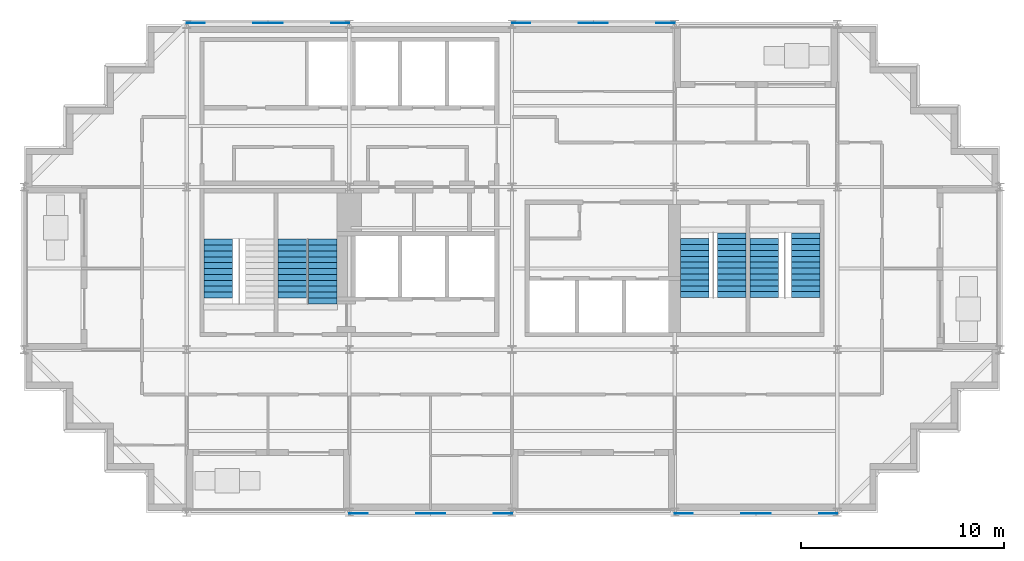
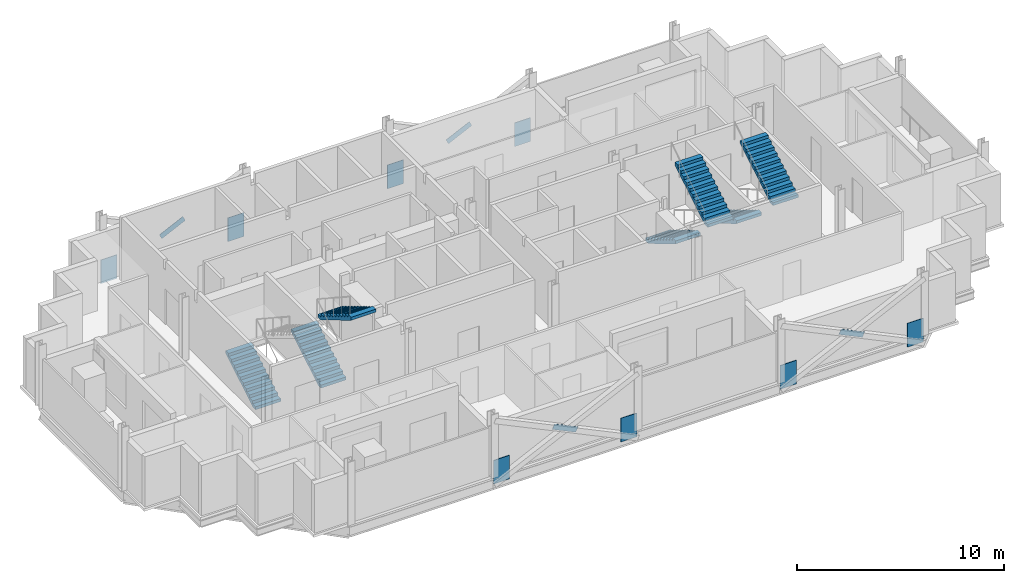
# One storey, part 8 of 10: 12 discrete accessories, 7 stair flights, 4 elements without a shape of their own.
"""IFC4 building model written with IfcOpenShell, lengths in metres."""

from ifc_helpers import new_model, si_unit, direction, frame, origin, origin_2d, place, context, subcontext, project, spatial, polyline, rectangle, outline, extrude, material, material_profile, profile_set, type_object, element, aggregate, save


model = new_model("IFC4")

# Units and contexts
model_context = context("Model", 3, precision=1e-05, world=origin(), true_north=direction((0.0, 1.0)))
body_context = subcontext(model_context, "Body", "Model", "MODEL_VIEW")
ifc_project = project(units=[si_unit("LENGTHUNIT", "METRE"), si_unit("AREAUNIT", "SQUARE_METRE"), si_unit("VOLUMEUNIT", "CUBIC_METRE"), si_unit("PLANEANGLEUNIT", "RADIAN"), si_unit("MASSUNIT", "GRAM", prefix="KILO")], contexts=[model_context])

# Site, building, storey
site_placement = place(None, origin())
site = spatial("IfcSite", under=ifc_project, at=site_placement, CompositionType="ELEMENT")
building_placement = place(site_placement, origin())
building = spatial("IfcBuilding", under=site, at=building_placement, Name="Immortelle Media Tower", CompositionType="ELEMENT")
storey_placement = place(building_placement, frame((0.0, 0.0, 237.0)))
storey = spatial("IfcBuildingStorey", under=building, at=storey_placement, Name="L51", CompositionType="ELEMENT", Elevation=237.0)

# Stair, stair flight
ifc_material_1 = material(Name="Steel ASTM A992 Gr 50", Category="steel")
stair_type = type_object("IfcStairType", Name="Stair with flights", PredefinedType="DOUBLE_RETURN_STAIR", material=ifc_material_1)
stair_1_placement = place(storey_placement, origin())
stair_1 = element("IfcStair", 1, at=stair_1_placement, inside=storey, type_object=stair_type, Name="Exit stair SW1", PredefinedType="DOUBLE_RETURN_STAIR")
stair_flight_type = type_object("IfcStairFlightType", Name="Stair flight 1400", PredefinedType="STRAIGHT", material=ifc_material_1)
stair_flight_1_placement = place(storey_placement, frame((9.550048828125, 10.5400390625, 0.0), z_axis=(0.0, 0.0, 1.0), x_axis=(0.0, 1.0, 0.0)))
stair_flight_1 = element("IfcStairFlight", 2, at=stair_flight_1_placement, type_object=stair_flight_type, Name="ST SW1 flight 1", NumberOfRisers=11, NumberOfTreads=10, PredefinedType="STRAIGHT", RiserHeight=0.173913043, TreadLength=0.29, context=body_context, shape_type="SweptSolid", body=[
    extrude(outline(polyline([(0.0, 0.0), (0.0, 0.173828125), (0.2900390625, 0.173828125), (0.2900390625, 0.347900390625), (0.580078125, 0.347900390625), (0.580078125, 0.521728515625), (0.8701171875, 0.521728515625), (0.8701171875, 0.695556640625), (1.159912109375, 0.695556640625), (1.159912109375, 0.86962890625), (1.449951171875, 0.86962890625), (1.449951171875, 1.04345703125), (1.739990234375, 1.04345703125), (1.739990234375, 1.21728515625), (2.030029296875, 1.21728515625), (2.030029296875, 1.391357421875), (2.320068359375, 1.391357421875), (2.320068359375, 1.565185546875), (2.610107421875, 1.565185546875), (2.610107421875, 1.739013671875), (2.89990234375, 1.739013671875), (2.89990234375, 1.9130859375), (2.89990234375, 1.564453125), (0.29150390625, 0.0), (0.0, 0.0)])), frame((0.0, 0.699951171875, 0.0), z_axis=(0.0, -1.0, 0.0), x_axis=(1.0, 0.0, 0.0)), (0.0, 0.0, 1.0), 1.39990234375),
])
aggregate(stair_1, [stair_flight_1])

# Stair, stair flights
stair_2_placement = place(storey_placement, origin())
stair_2 = element("IfcStair", 3, at=stair_2_placement, inside=storey, type_object=stair_type, Name="Exit stair SW2", PredefinedType="DOUBLE_RETURN_STAIR")
stair_flight_2_placement = place(storey_placement, frame((13.199951171875, 10.5400390625, 0.0), z_axis=(0.0, 0.0, 1.0), x_axis=(0.0, 1.0, 0.0)))
stair_flight_2 = element("IfcStairFlight", 4, at=stair_flight_2_placement, type_object=stair_flight_type, Name="ST SW2 flight 1", NumberOfRisers=11, NumberOfTreads=10, PredefinedType="STRAIGHT", RiserHeight=0.173913043, TreadLength=0.29, context=body_context, shape_type="SweptSolid", body=[
    extrude(outline(polyline([(0.0, 0.0), (0.0, 0.173828125), (0.2900390625, 0.173828125), (0.2900390625, 0.347900390625), (0.580078125, 0.347900390625), (0.580078125, 0.521728515625), (0.8701171875, 0.521728515625), (0.8701171875, 0.695556640625), (1.159912109375, 0.695556640625), (1.159912109375, 0.86962890625), (1.449951171875, 0.86962890625), (1.449951171875, 1.04345703125), (1.739990234375, 1.04345703125), (1.739990234375, 1.21728515625), (2.030029296875, 1.21728515625), (2.030029296875, 1.391357421875), (2.320068359375, 1.391357421875), (2.320068359375, 1.565185546875), (2.610107421875, 1.565185546875), (2.610107421875, 1.739013671875), (2.89990234375, 1.739013671875), (2.89990234375, 1.9130859375), (2.89990234375, 1.564453125), (0.29150390625, 0.0), (0.0, 0.0)])), frame((0.0, 0.699951171875, 0.0), z_axis=(0.0, -1.0, 0.0), x_axis=(1.0, 0.0, 0.0)), (0.0, 0.0, 1.0), 1.39990234375),
])
stair_flight_3_placement = place(storey_placement, frame((14.699951171875, 13.43994140625, 1.9130859375), z_axis=(0.0, 0.0, 1.0), x_axis=(0.0, -1.0, 0.0)))
stair_flight_3 = element("IfcStairFlight", 5, at=stair_flight_3_placement, type_object=stair_flight_type, Name="ST SW2 flight 2", NumberOfRisers=12, NumberOfTreads=11, PredefinedType="STRAIGHT", RiserHeight=0.173913043, TreadLength=0.29, context=body_context, shape_type="SweptSolid", body=[
    extrude(outline(polyline([(0.0, 0.0), (0.0, 0.173828125), (0.2900390625, 0.173828125), (0.2900390625, 0.347900390625), (0.580078125, 0.347900390625), (0.580078125, 0.521728515625), (0.8701171875, 0.521728515625), (0.8701171875, 0.695556640625), (1.159912109375, 0.695556640625), (1.159912109375, 0.86962890625), (1.449951171875, 0.86962890625), (1.449951171875, 1.04345703125), (1.739990234375, 1.04345703125), (1.739990234375, 1.21728515625), (2.030029296875, 1.21728515625), (2.030029296875, 1.391357421875), (2.320068359375, 1.391357421875), (2.320068359375, 1.565185546875), (2.610107421875, 1.565185546875), (2.610107421875, 1.739013671875), (2.89990234375, 1.739013671875), (2.89990234375, 1.9130859375), (3.18994140625, 1.9130859375), (3.18994140625, 2.0869140625), (3.18994140625, 1.73828125), (0.29150390625, 0.0), (0.0, 0.0)])), frame((0.0, 0.699951171875, 0.0), z_axis=(0.0, -1.0, 0.0), x_axis=(1.0, 0.0, 0.0)), (0.0, 0.0, 1.0), 1.39990234375),
])
aggregate(stair_2, [stair_flight_2, stair_flight_3])

stair_3_placement = place(storey_placement, origin())
stair_3 = element("IfcStair", 6, at=stair_3_placement, inside=storey, type_object=stair_type, Name="Exit stair SE1", PredefinedType="DOUBLE_RETURN_STAIR")
stair_flight_4_placement = place(storey_placement, frame((33.0, 13.4599609375, 0.0), z_axis=(0.0, 0.0, 1.0), x_axis=(0.0, -1.0, 0.0)))
stair_flight_4 = element("IfcStairFlight", 7, at=stair_flight_4_placement, type_object=stair_flight_type, Name="ST SE1 flight 1", NumberOfRisers=11, NumberOfTreads=10, PredefinedType="STRAIGHT", RiserHeight=0.173913043, TreadLength=0.29, context=body_context, shape_type="SweptSolid", body=[
    extrude(outline(polyline([(0.0, 0.0), (0.0, 0.173828125), (0.2900390625, 0.173828125), (0.2900390625, 0.347900390625), (0.580078125, 0.347900390625), (0.580078125, 0.521728515625), (0.8701171875, 0.521728515625), (0.8701171875, 0.695556640625), (1.159912109375, 0.695556640625), (1.159912109375, 0.86962890625), (1.449951171875, 0.86962890625), (1.449951171875, 1.04345703125), (1.739990234375, 1.04345703125), (1.739990234375, 1.21728515625), (2.030029296875, 1.21728515625), (2.030029296875, 1.391357421875), (2.320068359375, 1.391357421875), (2.320068359375, 1.565185546875), (2.610107421875, 1.565185546875), (2.610107421875, 1.739013671875), (2.89990234375, 1.739013671875), (2.89990234375, 1.9130859375), (2.89990234375, 1.564453125), (0.29150390625, 0.0), (0.0, 0.0)])), frame((0.0, 0.699951171875, 0.0), z_axis=(0.0, -1.0, 0.0), x_axis=(1.0, 0.0, 0.0)), (0.0, 0.0, 1.0), 1.39990234375),
])
stair_flight_5_placement = place(storey_placement, frame((34.800048828125, 10.56005859375, 1.9130859375), z_axis=(0.0, 0.0, 1.0), x_axis=(0.0, 1.0, 0.0)))
stair_flight_5 = element("IfcStairFlight", 8, at=stair_flight_5_placement, type_object=stair_flight_type, Name="ST SE1 flight 2", NumberOfRisers=12, NumberOfTreads=11, PredefinedType="STRAIGHT", RiserHeight=0.173913043, TreadLength=0.29, context=body_context, shape_type="SweptSolid", body=[
    extrude(outline(polyline([(0.0, 0.0), (0.0, 0.173828125), (0.2900390625, 0.173828125), (0.2900390625, 0.347900390625), (0.580078125, 0.347900390625), (0.580078125, 0.521728515625), (0.8701171875, 0.521728515625), (0.8701171875, 0.695556640625), (1.159912109375, 0.695556640625), (1.159912109375, 0.86962890625), (1.449951171875, 0.86962890625), (1.449951171875, 1.04345703125), (1.739990234375, 1.04345703125), (1.739990234375, 1.21728515625), (2.030029296875, 1.21728515625), (2.030029296875, 1.391357421875), (2.320068359375, 1.391357421875), (2.320068359375, 1.565185546875), (2.610107421875, 1.565185546875), (2.610107421875, 1.739013671875), (2.89990234375, 1.739013671875), (2.89990234375, 1.9130859375), (3.18994140625, 1.9130859375), (3.18994140625, 2.0869140625), (3.18994140625, 1.73828125), (0.29150390625, 0.0), (0.0, 0.0)])), frame((0.0, 0.699951171875, 0.0), z_axis=(0.0, -1.0, 0.0), x_axis=(1.0, 0.0, 0.0)), (0.0, 0.0, 1.0), 1.39990234375),
])
aggregate(stair_3, [stair_flight_4, stair_flight_5])

stair_4_placement = place(storey_placement, origin())
stair_4 = element("IfcStair", 9, at=stair_4_placement, inside=storey, type_object=stair_type, Name="Exit stair SE2", PredefinedType="DOUBLE_RETURN_STAIR")
stair_flight_6_placement = place(storey_placement, frame((36.39990234375, 13.4599609375, 0.0), z_axis=(0.0, 0.0, 1.0), x_axis=(0.0, -1.0, 0.0)))
stair_flight_6 = element("IfcStairFlight", 10, at=stair_flight_6_placement, type_object=stair_flight_type, Name="ST SE2 flight 1", NumberOfRisers=11, NumberOfTreads=10, PredefinedType="STRAIGHT", RiserHeight=0.173913043, TreadLength=0.29, context=body_context, shape_type="SweptSolid", body=[
    extrude(outline(polyline([(0.0, 0.0), (0.0, 0.173828125), (0.2900390625, 0.173828125), (0.2900390625, 0.347900390625), (0.580078125, 0.347900390625), (0.580078125, 0.521728515625), (0.8701171875, 0.521728515625), (0.8701171875, 0.695556640625), (1.159912109375, 0.695556640625), (1.159912109375, 0.86962890625), (1.449951171875, 0.86962890625), (1.449951171875, 1.04345703125), (1.739990234375, 1.04345703125), (1.739990234375, 1.21728515625), (2.030029296875, 1.21728515625), (2.030029296875, 1.391357421875), (2.320068359375, 1.391357421875), (2.320068359375, 1.565185546875), (2.610107421875, 1.565185546875), (2.610107421875, 1.739013671875), (2.89990234375, 1.739013671875), (2.89990234375, 1.9130859375), (2.89990234375, 1.564453125), (0.29150390625, 0.0), (0.0, 0.0)])), frame((0.0, 0.699951171875, 0.0), z_axis=(0.0, -1.0, 0.0), x_axis=(1.0, 0.0, 0.0)), (0.0, 0.0, 1.0), 1.39990234375),
])
stair_flight_7_placement = place(storey_placement, frame((38.449951171875, 10.56005859375, 1.9130859375), z_axis=(0.0, 0.0, 1.0), x_axis=(0.0, 1.0, 0.0)))
stair_flight_7 = element("IfcStairFlight", 11, at=stair_flight_7_placement, type_object=stair_flight_type, Name="ST SE2 flight 2", NumberOfRisers=12, NumberOfTreads=11, PredefinedType="STRAIGHT", RiserHeight=0.173913043, TreadLength=0.29, context=body_context, shape_type="SweptSolid", body=[
    extrude(outline(polyline([(0.0, 0.0), (0.0, 0.173828125), (0.2900390625, 0.173828125), (0.2900390625, 0.347900390625), (0.580078125, 0.347900390625), (0.580078125, 0.521728515625), (0.8701171875, 0.521728515625), (0.8701171875, 0.695556640625), (1.159912109375, 0.695556640625), (1.159912109375, 0.86962890625), (1.449951171875, 0.86962890625), (1.449951171875, 1.04345703125), (1.739990234375, 1.04345703125), (1.739990234375, 1.21728515625), (2.030029296875, 1.21728515625), (2.030029296875, 1.391357421875), (2.320068359375, 1.391357421875), (2.320068359375, 1.565185546875), (2.610107421875, 1.565185546875), (2.610107421875, 1.739013671875), (2.89990234375, 1.739013671875), (2.89990234375, 1.9130859375), (3.18994140625, 1.9130859375), (3.18994140625, 2.0869140625), (3.18994140625, 1.73828125), (0.29150390625, 0.0), (0.0, 0.0)])), frame((0.0, 0.699951171875, 0.0), z_axis=(0.0, -1.0, 0.0), x_axis=(1.0, 0.0, 0.0)), (0.0, 0.0, 1.0), 1.39990234375),
])
aggregate(stair_4, [stair_flight_6, stair_flight_7])

# Discrete accessories
ifc_material_2 = material(Name="Steel ASTM A572 Gr 50", Category="steel")
ifc_material_profile_1 = material_profile(ifc_material_2, rectangle(XDim=0.02392578125, YDim=0.304931640625, at=origin_2d()), Name="PL 24 x 305")
ifc_profile_set_1 = profile_set([ifc_material_profile_1], Name="Steel ASTM A572 Gr 50")
discrete_accessory_type_1 = type_object("IfcDiscreteAccessoryType", Name="Crossing plate XP-BR6 1450 x 305 x 24", PredefinedType="USERDEFINED", material=ifc_profile_set_1)
for number, where, z_axis, x_axis, name in (
    (12, (28.654296875, 24.0625, 1.76416015625), (-0.902558381004, 0.0, -0.430567496311), (0.0, -1.0, 0.0), "Crossing plate XP-BR6 of Brace D/4-5 A and Brace D/4-5 B"),
    (13, (12.654296875, 24.0625, 1.76416015625), (-0.902558381004, 0.0, -0.430567496311), (0.0, -1.0, 0.0), "Crossing plate XP-BR6 of Brace D/2-3 A and Brace D/2-3 B"),
    (14, (19.345703125, -0.0625, 1.76416015625), (0.902558381004, 0.0, -0.430567496311), (0.0, 1.0, 0.0), "Crossing plate XP-BR6 of Brace A/3-4 A and Brace A/3-4 B"),
    (15, (35.345703125, -0.0625, 1.76416015625), (0.902558381004, 0.0, -0.430567496311), (0.0, 1.0, 0.0), "Crossing plate XP-BR6 of Brace A/5-6 A and Brace A/5-6 B"),
):
    element("IfcDiscreteAccessory", number, at=place(storey_placement, frame(where, z_axis=z_axis, x_axis=x_axis)), inside=storey, type_object=discrete_accessory_type_1, Name=name, ObjectType="CROSSING PLATE", PredefinedType="USERDEFINED", context=body_context, shape_type="SweptSolid", body=[
        extrude(rectangle(XDim=0.02392578125, YDim=0.304931640625, at=origin_2d()), origin(), (0.0, 0.0, 1.0), 1.449951171875),
    ])
ifc_material_profile_2 = material_profile(ifc_material_2, rectangle(XDim=0.031982421875, YDim=1.39990234375, at=origin_2d()), Name="PL 32 x 1400")
ifc_profile_set_2 = profile_set([ifc_material_profile_2], Name="Steel ASTM A572 Gr 50")
discrete_accessory_type_2 = type_object("IfcDiscreteAccessoryType", Name="Gusset plate GP1 900 x 1400 x 32", PredefinedType="USERDEFINED", material=ifc_profile_set_2)
for number, where, z_axis, x_axis, name in (
    (16, (16.0, -0.0625, 0.243896484375), (1.0, 0.0, 0.0), (0.0, 1.0, 0.0), "Gusset plate GP1, lower end of Brace A/3-4 A"),
    (17, (24.0, -0.0625, 0.243896484375), (-1.0, 0.0, 0.0), (0.0, -1.0, 0.0), "Gusset plate GP1, lower end of Brace A/3-4 B"),
    (18, (32.0, -0.0625, 0.243896484375), (1.0, 0.0, 0.0), (0.0, 1.0, 0.0), "Gusset plate GP1, lower end of Brace A/5-6 A"),
    (19, (40.0, -0.0625, 0.243896484375), (-1.0, 0.0, 0.0), (0.0, -1.0, 0.0), "Gusset plate GP1, lower end of Brace A/5-6 B"),
    (20, (32.0, 24.0625, 0.243896484375), (-1.0, 0.0, 0.0), (0.0, -1.0, 0.0), "Gusset plate GP1, lower end of Brace D/4-5 A"),
    (21, (24.0, 24.0625, 0.243896484375), (1.0, 0.0, 0.0), (0.0, 1.0, 0.0), "Gusset plate GP1, lower end of Brace D/4-5 B"),
    (22, (16.0, 24.0625, 0.243896484375), (-1.0, 0.0, 0.0), (0.0, -1.0, 0.0), "Gusset plate GP1, lower end of Brace D/2-3 A"),
    (23, (8.0, 24.0625, 0.243896484375), (1.0, 0.0, 0.0), (0.0, 1.0, 0.0), "Gusset plate GP1, lower end of Brace D/2-3 B"),
):
    element("IfcDiscreteAccessory", number, at=place(storey_placement, frame(where, z_axis=z_axis, x_axis=x_axis)), inside=storey, type_object=discrete_accessory_type_2, Name=name, ObjectType="GUSSET PLATE", PredefinedType="USERDEFINED", context=body_context, shape_type="SweptSolid", body=[
        extrude(rectangle(XDim=0.031982421875, YDim=1.39990234375, at=origin_2d()), origin(), (0.0, 0.0, 1.0), 0.89990234375),
    ])

save(model, "model.ifc")
